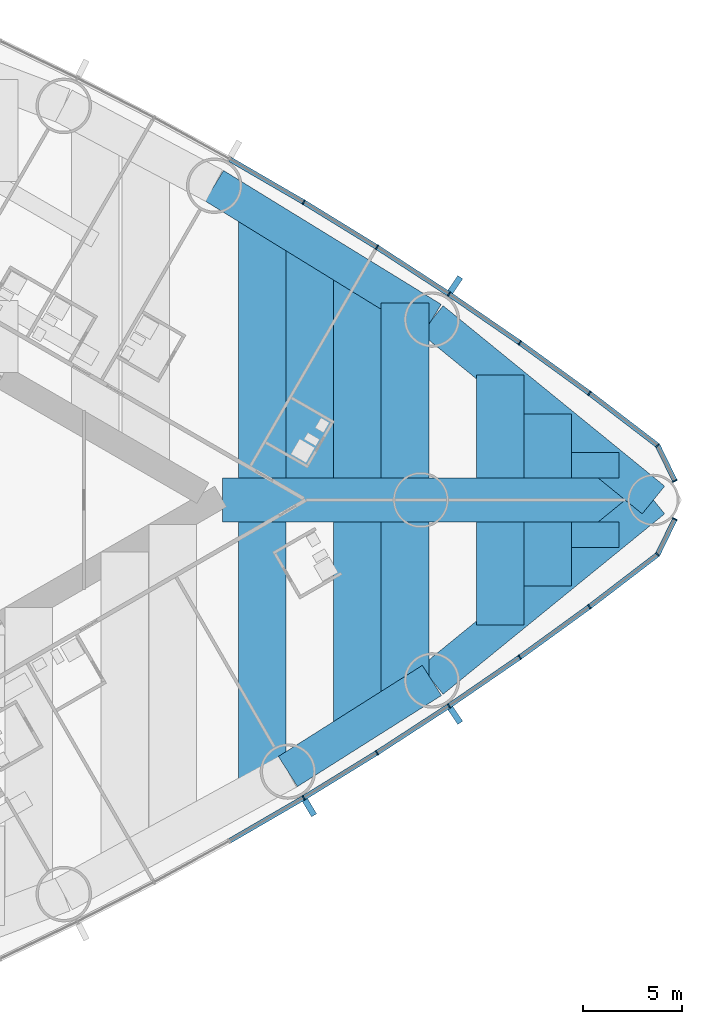
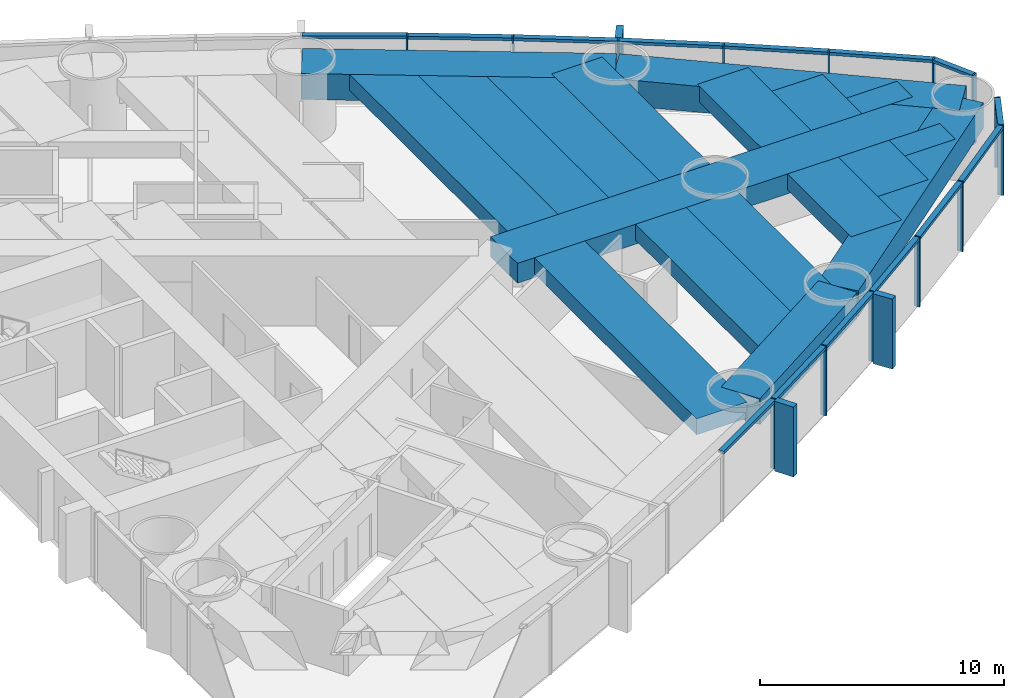
# One storey, part 8 of 18: 31 members, 18 beams, 2 elements without a shape of their own.
"""IFC4 building model written with IfcOpenShell, lengths in metres."""

from ifc_helpers import new_model, si_unit, direction, frame, origin, origin_2d, place, context, subcontext, project, spatial, rectangle, extrude, material, material_profile, profile_set, type_object, element, aggregate, save


model = new_model("IFC4")

# Units and contexts
model_context = context("Model", 3, precision=1e-05, world=origin(), true_north=direction((0.0, 1.0)))
body_context = subcontext(model_context, "Body", "Model", "MODEL_VIEW")
ifc_project = project(units=[si_unit("LENGTHUNIT", "METRE"), si_unit("AREAUNIT", "SQUARE_METRE"), si_unit("VOLUMEUNIT", "CUBIC_METRE"), si_unit("PLANEANGLEUNIT", "RADIAN"), si_unit("MASSUNIT", "GRAM", prefix="KILO")], contexts=[model_context])

# Site, building, storey
site_placement = place(None, origin())
site = spatial("IfcSite", under=ifc_project, at=site_placement, CompositionType="ELEMENT")
building_placement = place(site_placement, origin())
building = spatial("IfcBuilding", under=site, at=building_placement, Name="Lancet Gate Hotel", CompositionType="ELEMENT")
storey_placement = place(building_placement, frame((0.0, 0.0, 46.0)))
storey = spatial("IfcBuildingStorey", under=building, at=storey_placement, Name="L11", CompositionType="ELEMENT", Elevation=46.0)

# Curtain wall, members
ifc_material_1 = material(Name="Aluminium curtain wall", Category="aluminium")
curtain_wall_type = type_object("IfcCurtainWallType", Name="Tower unitised curtain wall", PredefinedType="USERDEFINED", material=ifc_material_1)
curtain_wall_1_placement = place(storey_placement, origin())
curtain_wall_1 = element("IfcCurtainWall", 1, at=curtain_wall_1_placement, inside=storey, type_object=curtain_wall_type, Name="T2 L11 curtain wall 2", ObjectType="UNITISED CURTAIN WALL", PredefinedType="USERDEFINED")
ifc_material_2 = material(Name="Aluminium mullion", Category="aluminium")
ifc_material_profile_1 = material_profile(ifc_material_2, rectangle(XDim=0.06494140625, YDim=0.25, at=origin_2d()), Name="MULLION 65x250")
ifc_profile_set_1 = profile_set([ifc_material_profile_1], Name="Aluminium mullion")
member_type_1 = type_object("IfcMemberType", Name="Aluminium mullion 65x250", PredefinedType="MULLION", material=ifc_profile_set_1)
member_1_placement = place(storey_placement, frame((55.590087890625, -15.03125, 0.0), z_axis=(0.0, 0.0, 1.0), x_axis=(0.858413008828, 0.512959166284, 0.0)))
member_1 = element("IfcMember", 2, at=member_1_placement, type_object=member_type_1, Name="T2 L11 curtain wall 2 mullion 8", PredefinedType="MULLION", context=body_context, shape_type="SweptSolid", body=[
    extrude(rectangle(XDim=0.06494140625, YDim=0.25, at=origin_2d()), origin(), (0.0, 0.0, 1.0), 3.5),
])
member_2_placement = place(storey_placement, frame((59.28515625, -12.7587890625, 0.0), z_axis=(0.0, 0.0, 1.0), x_axis=(0.845079420983, 0.534640788035, 0.0)))
member_2 = element("IfcMember", 3, at=member_2_placement, type_object=member_type_1, Name="T2 L11 curtain wall 2 mullion 9", PredefinedType="MULLION", context=body_context, shape_type="SweptSolid", body=[
    extrude(rectangle(XDim=0.06494140625, YDim=0.25, at=origin_2d()), origin(), (0.0, 0.0, 1.0), 3.5),
])
member_3_placement = place(storey_placement, frame((62.921142578125, -10.393310546875, 0.0), z_axis=(0.0, 0.0, 1.0), x_axis=(0.831198325377, 0.555976028162, 0.0)))
member_3 = element("IfcMember", 4, at=member_3_placement, type_object=member_type_1, Name="T2 L11 curtain wall 2 mullion 10", PredefinedType="MULLION", context=body_context, shape_type="SweptSolid", body=[
    extrude(rectangle(XDim=0.06494140625, YDim=0.25, at=origin_2d()), origin(), (0.0, 0.0, 1.0), 3.5),
])
member_4_placement = place(storey_placement, frame((66.49560546875, -7.935791015625, 0.0), z_axis=(0.0, 0.0, 1.0), x_axis=(0.816778715254, 0.576951064049, 0.0)))
member_4 = element("IfcMember", 5, at=member_4_placement, type_object=member_type_1, Name="T2 L11 curtain wall 2 mullion 11", PredefinedType="MULLION", context=body_context, shape_type="SweptSolid", body=[
    extrude(rectangle(XDim=0.06494140625, YDim=0.25, at=origin_2d()), origin(), (0.0, 0.0, 1.0), 3.5),
])
member_5_placement = place(storey_placement, frame((70.00634765625, -5.388427734375, 0.0), z_axis=(0.0, 0.0, 1.0), x_axis=(0.801829932754, 0.597552306447, 0.0)))
member_5 = element("IfcMember", 6, at=member_5_placement, type_object=member_type_1, Name="T2 L11 curtain wall 2 mullion 12", PredefinedType="MULLION", context=body_context, shape_type="SweptSolid", body=[
    extrude(rectangle(XDim=0.06494140625, YDim=0.25, at=origin_2d()), origin(), (0.0, 0.0, 1.0), 3.5),
])
member_6_placement = place(storey_placement, frame((73.451416015625, -2.752197265625, 0.0), z_axis=(0.0, 0.0, 1.0), x_axis=(0.697983022443, 0.716114306784, 0.0)))
member_6 = element("IfcMember", 7, at=member_6_placement, type_object=member_type_1, Name="T2 L11 curtain wall 2 mullion 13", PredefinedType="MULLION", context=body_context, shape_type="SweptSolid", body=[
    extrude(rectangle(XDim=0.06494140625, YDim=0.25, at=origin_2d()), origin(), (0.0, 0.0, 1.0), 3.5),
])
member_7_placement = place(storey_placement, frame((74.322265625, -0.96044921875, 0.0), z_axis=(0.0, 0.0, 1.0), x_axis=(0.437169070119, 0.899379343843, 0.0)))
member_7 = element("IfcMember", 8, at=member_7_placement, type_object=member_type_1, Name="T2 L11 curtain wall 2 mullion 14", PredefinedType="MULLION", context=body_context, shape_type="SweptSolid", body=[
    extrude(rectangle(XDim=0.06494140625, YDim=0.25, at=origin_2d()), origin(), (0.0, 0.0, 1.0), 3.5),
])

curtain_wall_2_placement = place(storey_placement, origin())
curtain_wall_2 = element("IfcCurtainWall", 9, at=curtain_wall_2_placement, inside=storey, type_object=curtain_wall_type, Name="T2 L11 curtain wall 3", ObjectType="UNITISED CURTAIN WALL", PredefinedType="USERDEFINED")
member_8_placement = place(storey_placement, frame((74.322265625, 0.96044921875, 0.0), z_axis=(0.0, 0.0, 1.0), x_axis=(-0.437169070119, 0.899379343843, 0.0)))
member_8 = element("IfcMember", 10, at=member_8_placement, type_object=member_type_1, Name="T2 L11 curtain wall 3 mullion 1", PredefinedType="MULLION", context=body_context, shape_type="SweptSolid", body=[
    extrude(rectangle(XDim=0.06494140625, YDim=0.25, at=origin_2d()), origin(), (0.0, 0.0, 1.0), 3.5),
])
member_9_placement = place(storey_placement, frame((73.451416015625, 2.752197265625, 0.0), z_axis=(0.0, 0.0, 1.0), x_axis=(-0.697983022443, 0.716114306784, 0.0)))
member_9 = element("IfcMember", 11, at=member_9_placement, type_object=member_type_1, Name="T2 L11 curtain wall 3 mullion 2", PredefinedType="MULLION", context=body_context, shape_type="SweptSolid", body=[
    extrude(rectangle(XDim=0.06494140625, YDim=0.25, at=origin_2d()), origin(), (0.0, 0.0, 1.0), 3.5),
])
member_10_placement = place(storey_placement, frame((70.00634765625, 5.388427734375, 0.0), z_axis=(0.0, 0.0, 1.0), x_axis=(-0.801829932754, 0.597552306447, 0.0)))
member_10 = element("IfcMember", 12, at=member_10_placement, type_object=member_type_1, Name="T2 L11 curtain wall 3 mullion 3", PredefinedType="MULLION", context=body_context, shape_type="SweptSolid", body=[
    extrude(rectangle(XDim=0.06494140625, YDim=0.25, at=origin_2d()), origin(), (0.0, 0.0, 1.0), 3.5),
])
member_11_placement = place(storey_placement, frame((66.49560546875, 7.935791015625, 0.0), z_axis=(0.0, 0.0, 1.0), x_axis=(-0.816778715254, 0.576951064049, 0.0)))
member_11 = element("IfcMember", 13, at=member_11_placement, type_object=member_type_1, Name="T2 L11 curtain wall 3 mullion 4", PredefinedType="MULLION", context=body_context, shape_type="SweptSolid", body=[
    extrude(rectangle(XDim=0.06494140625, YDim=0.25, at=origin_2d()), origin(), (0.0, 0.0, 1.0), 3.5),
])
member_12_placement = place(storey_placement, frame((62.921142578125, 10.393310546875, 0.0), z_axis=(0.0, 0.0, 1.0), x_axis=(-0.831198325377, 0.555976028162, 0.0)))
member_12 = element("IfcMember", 14, at=member_12_placement, type_object=member_type_1, Name="T2 L11 curtain wall 3 mullion 5", PredefinedType="MULLION", context=body_context, shape_type="SweptSolid", body=[
    extrude(rectangle(XDim=0.06494140625, YDim=0.25, at=origin_2d()), origin(), (0.0, 0.0, 1.0), 3.5),
])
member_13_placement = place(storey_placement, frame((59.28515625, 12.7587890625, 0.0), z_axis=(0.0, 0.0, 1.0), x_axis=(-0.845079420983, 0.534640788035, 0.0)))
member_13 = element("IfcMember", 15, at=member_13_placement, type_object=member_type_1, Name="T2 L11 curtain wall 3 mullion 6", PredefinedType="MULLION", context=body_context, shape_type="SweptSolid", body=[
    extrude(rectangle(XDim=0.06494140625, YDim=0.25, at=origin_2d()), origin(), (0.0, 0.0, 1.0), 3.5),
])
member_14_placement = place(storey_placement, frame((55.590087890625, 15.03125, 0.0), z_axis=(0.0, 0.0, 1.0), x_axis=(-0.858413008828, 0.512959166284, 0.0)))
member_14 = element("IfcMember", 16, at=member_14_placement, type_object=member_type_1, Name="T2 L11 curtain wall 3 mullion 7", PredefinedType="MULLION", context=body_context, shape_type="SweptSolid", body=[
    extrude(rectangle(XDim=0.06494140625, YDim=0.25, at=origin_2d()), origin(), (0.0, 0.0, 1.0), 3.5),
])

# Member
ifc_material_3 = material(Name="Aluminium transom", Category="aluminium")
ifc_material_profile_2 = material_profile(ifc_material_3, rectangle(XDim=0.25, YDim=0.14990234375, at=origin_2d()), Name="TRANSOM 250x150")
ifc_profile_set_2 = profile_set([ifc_material_profile_2], Name="Aluminium transom")
member_type_2 = type_object("IfcMemberType", Name="Aluminium transom 250x150", PredefinedType="USERDEFINED", material=ifc_profile_set_2)
member_15_placement = place(storey_placement, frame((51.86669921875, -17.1923828125, 3.425048828125), z_axis=(0.864854571156, 0.502022480324, 0.0), x_axis=(-0.502022480324, 0.864854571156, 0.0)))
member_15 = element("IfcMember", 17, at=member_15_placement, type_object=member_type_2, Name="T2 L11 curtain wall 2 transom 7", ObjectType="TRANSOM", PredefinedType="USERDEFINED", context=body_context, shape_type="SweptSolid", body=[
    extrude(rectangle(XDim=0.25, YDim=0.14990234375, at=origin_2d()), origin(), (0.0, 0.0, 1.0), 4.272705078125),
])

member_16_placement = place(storey_placement, frame((55.617919921875, -15.01416015625, 3.425048828125), z_axis=(0.851815224451, 0.523842365023, 0.0), x_axis=(-0.523842365023, 0.851815224451, 0.0)))
member_16 = element("IfcMember", 18, at=member_16_placement, type_object=member_type_2, Name="T2 L11 curtain wall 2 transom 8", ObjectType="TRANSOM", PredefinedType="USERDEFINED", context=body_context, shape_type="SweptSolid", body=[
    extrude(rectangle(XDim=0.25, YDim=0.14990234375, at=origin_2d()), origin(), (0.0, 0.0, 1.0), 4.272705078125),
])

member_17_placement = place(storey_placement, frame((59.3125, -12.7412109375, 3.425048828125), z_axis=(0.83817850664, 0.545395994674, 0.0), x_axis=(-0.545395994674, 0.83817850664, 0.0)))
member_17 = element("IfcMember", 19, at=member_17_placement, type_object=member_type_2, Name="T2 L11 curtain wall 2 transom 9", ObjectType="TRANSOM", PredefinedType="USERDEFINED", context=body_context, shape_type="SweptSolid", body=[
    extrude(rectangle(XDim=0.25, YDim=0.14990234375, at=origin_2d()), origin(), (0.0, 0.0, 1.0), 4.272705078125),
])

member_18_placement = place(storey_placement, frame((62.94775390625, -10.374755859375, 3.425048828125), z_axis=(0.824071932869, 0.566485171437, 0.0), x_axis=(-0.566485171437, 0.824071932869, 0.0)))
member_18 = element("IfcMember", 20, at=member_18_placement, type_object=member_type_2, Name="T2 L11 curtain wall 2 transom 10", ObjectType="TRANSOM", PredefinedType="USERDEFINED", context=body_context, shape_type="SweptSolid", body=[
    extrude(rectangle(XDim=0.25, YDim=0.14990234375, at=origin_2d()), origin(), (0.0, 0.0, 1.0), 4.272705078125),
])

member_19_placement = place(storey_placement, frame((66.52197265625, -7.916748046875, 3.425048828125), z_axis=(0.809382971085, 0.587281198505, 0.0), x_axis=(-0.587281198505, 0.809382971085, 0.0)))
member_19 = element("IfcMember", 21, at=member_19_placement, type_object=member_type_2, Name="T2 L11 curtain wall 2 transom 11", ObjectType="TRANSOM", PredefinedType="USERDEFINED", context=body_context, shape_type="SweptSolid", body=[
    extrude(rectangle(XDim=0.25, YDim=0.14990234375, at=origin_2d()), origin(), (0.0, 0.0, 1.0), 4.272705078125),
])

member_20_placement = place(storey_placement, frame((70.0322265625, -5.36865234375, 3.425048828125), z_axis=(0.794155062652, 0.607715177089, 0.0), x_axis=(-0.607715177089, 0.794155062652, 0.0)))
member_20 = element("IfcMember", 22, at=member_20_placement, type_object=member_type_2, Name="T2 L11 curtain wall 2 transom 12", ObjectType="TRANSOM", PredefinedType="USERDEFINED", context=body_context, shape_type="SweptSolid", body=[
    extrude(rectangle(XDim=0.25, YDim=0.14990234375, at=origin_2d()), origin(), (0.0, 0.0, 1.0), 4.27294921875),
])

member_21_placement = place(storey_placement, frame((73.465576171875, -2.72314453125, 3.425048828125), z_axis=(0.437103060611, 0.899411426659, 0.0), x_axis=(-0.899411426659, 0.437103060611, 0.0)))
member_21 = element("IfcMember", 23, at=member_21_placement, type_object=member_type_2, Name="T2 L11 curtain wall 2 transom 13", ObjectType="TRANSOM", PredefinedType="USERDEFINED", context=body_context, shape_type="SweptSolid", body=[
    extrude(rectangle(XDim=0.25, YDim=0.14990234375, at=origin_2d()), origin(), (0.0, 0.0, 1.0), 1.927490234375),
])

member_22_placement = place(storey_placement, frame((74.30810546875, 0.989501953125, 3.425048828125), z_axis=(-0.437103060611, 0.899411426659, 0.0), x_axis=(-0.899411426659, -0.437103060611, 0.0)))
member_22 = element("IfcMember", 24, at=member_22_placement, type_object=member_type_2, Name="T2 L11 curtain wall 3 transom 1", ObjectType="TRANSOM", PredefinedType="USERDEFINED", context=body_context, shape_type="SweptSolid", body=[
    extrude(rectangle(XDim=0.25, YDim=0.14990234375, at=origin_2d()), origin(), (0.0, 0.0, 1.0), 1.927490234375),
])

member_23_placement = place(storey_placement, frame((73.425537109375, 2.77197265625, 3.425048828125), z_axis=(-0.794155062652, 0.607715177089, 0.0), x_axis=(-0.607715177089, -0.794155062652, 0.0)))
member_23 = element("IfcMember", 25, at=member_23_placement, type_object=member_type_2, Name="T2 L11 curtain wall 3 transom 2", ObjectType="TRANSOM", PredefinedType="USERDEFINED", context=body_context, shape_type="SweptSolid", body=[
    extrude(rectangle(XDim=0.25, YDim=0.14990234375, at=origin_2d()), origin(), (0.0, 0.0, 1.0), 4.27294921875),
])

member_24_placement = place(storey_placement, frame((69.980224609375, 5.407470703125, 3.425048828125), z_axis=(-0.809382971085, 0.587281198505, 0.0), x_axis=(-0.587281198505, -0.809382971085, 0.0)))
member_24 = element("IfcMember", 26, at=member_24_placement, type_object=member_type_2, Name="T2 L11 curtain wall 3 transom 3", ObjectType="TRANSOM", PredefinedType="USERDEFINED", context=body_context, shape_type="SweptSolid", body=[
    extrude(rectangle(XDim=0.25, YDim=0.14990234375, at=origin_2d()), origin(), (0.0, 0.0, 1.0), 4.272705078125),
])

member_25_placement = place(storey_placement, frame((66.46875, 7.954345703125, 3.425048828125), z_axis=(-0.824071932869, 0.566485171437, 0.0), x_axis=(-0.566485171437, -0.824071932869, 0.0)))
member_25 = element("IfcMember", 27, at=member_25_placement, type_object=member_type_2, Name="T2 L11 curtain wall 3 transom 4", ObjectType="TRANSOM", PredefinedType="USERDEFINED", context=body_context, shape_type="SweptSolid", body=[
    extrude(rectangle(XDim=0.25, YDim=0.14990234375, at=origin_2d()), origin(), (0.0, 0.0, 1.0), 4.272705078125),
])

member_26_placement = place(storey_placement, frame((62.893798828125, 10.410888671875, 3.425048828125), z_axis=(-0.83817850664, 0.545395994674, 0.0), x_axis=(-0.545395994674, -0.83817850664, 0.0)))
member_26 = element("IfcMember", 28, at=member_26_placement, type_object=member_type_2, Name="T2 L11 curtain wall 3 transom 5", ObjectType="TRANSOM", PredefinedType="USERDEFINED", context=body_context, shape_type="SweptSolid", body=[
    extrude(rectangle(XDim=0.25, YDim=0.14990234375, at=origin_2d()), origin(), (0.0, 0.0, 1.0), 4.272705078125),
])

member_27_placement = place(storey_placement, frame((59.257568359375, 12.77587890625, 3.425048828125), z_axis=(-0.851815224451, 0.523842365023, 0.0), x_axis=(-0.523842365023, -0.851815224451, 0.0)))
member_27 = element("IfcMember", 29, at=member_27_placement, type_object=member_type_2, Name="T2 L11 curtain wall 3 transom 6", ObjectType="TRANSOM", PredefinedType="USERDEFINED", context=body_context, shape_type="SweptSolid", body=[
    extrude(rectangle(XDim=0.25, YDim=0.14990234375, at=origin_2d()), origin(), (0.0, 0.0, 1.0), 4.272705078125),
])

member_28_placement = place(storey_placement, frame((55.56201171875, 15.04736328125, 3.425048828125), z_axis=(-0.864854571156, 0.502022480324, 0.0), x_axis=(-0.502022480324, -0.864854571156, 0.0)))
member_28 = element("IfcMember", 30, at=member_28_placement, type_object=member_type_2, Name="T2 L11 curtain wall 3 transom 7", ObjectType="TRANSOM", PredefinedType="USERDEFINED", context=body_context, shape_type="SweptSolid", body=[
    extrude(rectangle(XDim=0.25, YDim=0.14990234375, at=origin_2d()), origin(), (0.0, 0.0, 1.0), 4.272705078125),
])

# Beams
ifc_material_4 = material(Name="Concrete C50/60", Category="concrete")
ifc_material_profile_3 = material_profile(ifc_material_4, rectangle(XDim=1.800048828125, YDim=1.300048828125, at=origin_2d()), Name="RC 1800x1300")
ifc_profile_set_3 = profile_set([ifc_material_profile_3], Name="Concrete C50/60")
beam_type_1 = type_object("IfcBeamType", Name="Edge beam RC 1800x1300", PredefinedType="SPANDREL", material=ifc_profile_set_3)
beam_1_placement = place(storey_placement, frame((54.795166015625, -13.70068359375, 2.60009765625), z_axis=(0.845078312276, 0.534642540508, 0.0), x_axis=(-0.534642540508, 0.845078312276, 0.0)))
element("IfcBeam", 31, at=beam_1_placement, inside=storey, type_object=beam_type_1, Name="T2 edge beam EB1 L11", PredefinedType="SPANDREL", context=body_context, shape_type="SweptSolid", body=[
    extrude(rectangle(XDim=1.800048828125, YDim=1.300048828125, at=origin_2d()), origin(), (0.0, 0.0, 1.0), 8.595947265625),
])
for number, where, z_axis, x_axis, name in (
    (32, (62.059326171875, -9.10498046875, 2.60009765625), (0.775390970005, 0.631481467372, 0.0), (-0.631481467372, 0.775390970005, 0.0), "T2 edge beam EB1 L11"),
    (33, (73.2392578125, 0.0, 2.60009765625), (-0.775390970005, 0.631481467372, 0.0), (-0.631481467372, -0.775390970005, 0.0), "T2 edge beam EB1 L11"),
):
    element("IfcBeam", number, at=place(storey_placement, frame(where, z_axis=z_axis, x_axis=x_axis)), inside=storey, type_object=beam_type_1, Name=name, PredefinedType="SPANDREL", context=body_context, shape_type="SweptSolid", body=[
        extrude(rectangle(XDim=1.800048828125, YDim=1.300048828125, at=origin_2d()), origin(), (0.0, 0.0, 1.0), 14.41845703125),
    ])
beam_2_placement = place(storey_placement, frame((62.059326171875, 9.10498046875, 2.60009765625), z_axis=(-0.851815628025, 0.523841708775, 0.0), x_axis=(-0.523841708775, -0.851815628025, 0.0)))
element("IfcBeam", 34, at=beam_2_placement, inside=storey, type_object=beam_type_1, Name="T2 edge beam EB1 L11", PredefinedType="SPANDREL", context=body_context, shape_type="SweptSolid", body=[
    extrude(rectangle(XDim=1.800048828125, YDim=1.300048828125, at=origin_2d()), origin(), (0.0, 0.0, 1.0), 12.89208984375),
])

# Member
ifc_material_5 = material(Name="Precast concrete C50/60", Category="concrete")
ifc_material_profile_4 = material_profile(ifc_material_5, rectangle(XDim=0.300048828125, YDim=0.89990234375, at=origin_2d()), Name="FIN 300x900")
ifc_profile_set_4 = profile_set([ifc_material_profile_4], Name="Precast concrete C50/60")
member_type_3 = type_object("IfcMemberType", Name="Exposed concrete fin 300x900", PredefinedType="USERDEFINED", material=ifc_profile_set_4)
member_29_placement = place(storey_placement, frame((55.88525390625, -15.524658203125, 0.0), z_axis=(0.0, 0.0, 1.0), x_axis=(0.858413008828, 0.512959166284, 0.0)))
member_29 = element("IfcMember", 35, at=member_29_placement, type_object=member_type_3, Name="T2 L11 curtain wall 2 fin 8", ObjectType="FIN", PredefinedType="USERDEFINED", context=body_context, shape_type="SweptSolid", body=[
    extrude(rectangle(XDim=0.300048828125, YDim=0.89990234375, at=origin_2d()), origin(), (0.0, 0.0, 1.0), 3.5),
])

member_30_placement = place(storey_placement, frame((63.24072265625, -10.87109375, 0.0), z_axis=(0.0, 0.0, 1.0), x_axis=(0.831198325377, 0.555976028162, 0.0)))
member_30 = element("IfcMember", 36, at=member_30_placement, type_object=member_type_3, Name="T2 L11 curtain wall 2 fin 10", ObjectType="FIN", PredefinedType="USERDEFINED", context=body_context, shape_type="SweptSolid", body=[
    extrude(rectangle(XDim=0.300048828125, YDim=0.89990234375, at=origin_2d()), origin(), (0.0, 0.0, 1.0), 3.5),
])

aggregate(curtain_wall_1, [member_1, member_29, member_2, member_3, member_30, member_4, member_5, member_6, member_7, member_15, member_16, member_17, member_18, member_19, member_20, member_21])

member_31_placement = place(storey_placement, frame((63.24072265625, 10.87109375, 0.0), z_axis=(0.0, 0.0, 1.0), x_axis=(-0.831198325377, 0.555976028162, 0.0)))
member_31 = element("IfcMember", 37, at=member_31_placement, type_object=member_type_3, Name="T2 L11 curtain wall 3 fin 5", ObjectType="FIN", PredefinedType="USERDEFINED", context=body_context, shape_type="SweptSolid", body=[
    extrude(rectangle(XDim=0.300048828125, YDim=0.89990234375, at=origin_2d()), origin(), (0.0, 0.0, 1.0), 3.5),
])

aggregate(curtain_wall_2, [member_8, member_9, member_10, member_11, member_12, member_31, member_13, member_14, member_22, member_23, member_24, member_25, member_26, member_27, member_28])

# Beams
ifc_material_6 = material(Name="Concrete C50/60", Category="concrete")
ifc_material_profile_5 = material_profile(ifc_material_6, rectangle(XDim=2.39990234375, YDim=0.800048828125, at=origin_2d()), Name="RC 2400x800")
ifc_profile_set_5 = profile_set([ifc_material_profile_5], Name="Concrete C50/60")
beam_type_2 = type_object("IfcBeamType", Name="Floor beam RC 2400x800", PredefinedType="BEAM", material=ifc_profile_set_5)
beam_3_placement = place(storey_placement, frame((53.502197265625, -14.40771484375, 2.85009765625), z_axis=(0.0, 1.0, 0.0), x_axis=(-1.0, 0.0, 0.0)))
element("IfcBeam", 38, at=beam_3_placement, inside=storey, type_object=beam_type_2, Name="T2 floor beam F16S L11", PredefinedType="BEAM", context=body_context, shape_type="SweptSolid", body=[
    extrude(rectangle(XDim=2.39990234375, YDim=0.800048828125, at=origin_2d()), origin(), (0.0, 0.0, 1.0), 13.3076171875),
])
beam_4_placement = place(storey_placement, frame((53.502197265625, 1.10009765625, 2.85009765625), z_axis=(0.0, 1.0, 0.0), x_axis=(-1.0, 0.0, 0.0)))
element("IfcBeam", 39, at=beam_4_placement, inside=storey, type_object=beam_type_2, Name="T2 floor beam F17N L11", PredefinedType="BEAM", context=body_context, shape_type="SweptSolid", body=[
    extrude(rectangle(XDim=2.39990234375, YDim=0.800048828125, at=origin_2d()), origin(), (0.0, 0.0, 1.0), 13.26708984375),
])
beam_5_placement = place(storey_placement, frame((55.90234375, 1.10009765625, 2.85009765625), z_axis=(0.0, 1.0, 0.0), x_axis=(-1.0, 0.0, 0.0)))
element("IfcBeam", 40, at=beam_5_placement, inside=storey, type_object=beam_type_2, Name="T2 floor beam F18N L11", PredefinedType="BEAM", context=body_context, shape_type="SweptSolid", body=[
    extrude(rectangle(XDim=2.39990234375, YDim=0.800048828125, at=origin_2d()), origin(), (0.0, 0.0, 1.0), 11.791259765625),
])
beam_6_placement = place(storey_placement, frame((58.30224609375, -11.48193359375, 2.85009765625), z_axis=(0.0, 1.0, 0.0), x_axis=(-1.0, 0.0, 0.0)))
element("IfcBeam", 41, at=beam_6_placement, inside=storey, type_object=beam_type_2, Name="T2 floor beam F19S L11", PredefinedType="BEAM", context=body_context, shape_type="SweptSolid", body=[
    extrude(rectangle(XDim=2.39990234375, YDim=0.800048828125, at=origin_2d()), origin(), (0.0, 0.0, 1.0), 10.3818359375),
])
beam_7_placement = place(storey_placement, frame((58.30224609375, 1.10009765625, 2.85009765625), z_axis=(0.0, 1.0, 0.0), x_axis=(-1.0, 0.0, 0.0)))
element("IfcBeam", 42, at=beam_7_placement, inside=storey, type_object=beam_type_2, Name="T2 floor beam F20N L11", PredefinedType="BEAM", context=body_context, shape_type="SweptSolid", body=[
    extrude(rectangle(XDim=2.39990234375, YDim=0.800048828125, at=origin_2d()), origin(), (0.0, 0.0, 1.0), 10.3154296875),
])
beam_8_placement = place(storey_placement, frame((60.7021484375, -9.96337890625, 2.85009765625), z_axis=(0.0, 1.0, 0.0), x_axis=(-1.0, 0.0, 0.0)))
element("IfcBeam", 43, at=beam_8_placement, inside=storey, type_object=beam_type_2, Name="T2 floor beam F21S L11", PredefinedType="BEAM", context=body_context, shape_type="SweptSolid", body=[
    extrude(rectangle(XDim=2.39990234375, YDim=0.800048828125, at=origin_2d()), origin(), (0.0, 0.0, 1.0), 8.86328125),
])
beam_9_placement = place(storey_placement, frame((60.7021484375, 1.10009765625, 2.85009765625), z_axis=(0.0, 1.0, 0.0), x_axis=(-1.0, 0.0, 0.0)))
element("IfcBeam", 44, at=beam_9_placement, inside=storey, type_object=beam_type_2, Name="T2 floor beam F22N L11", PredefinedType="BEAM", context=body_context, shape_type="SweptSolid", body=[
    extrude(rectangle(XDim=2.39990234375, YDim=0.800048828125, at=origin_2d()), origin(), (0.0, 0.0, 1.0), 8.83935546875),
])
for number, where, z_axis, x_axis, name in (
    (45, (65.502197265625, -6.301025390625, 2.85009765625), (0.0, 1.0, 0.0), (-1.0, 0.0, 0.0), "T2 floor beam F23S L11"),
    (46, (65.502197265625, 1.10009765625, 2.85009765625), (0.0, 1.0, 0.0), (-1.0, 0.0, 0.0), "T2 floor beam F24N L11"),
):
    element("IfcBeam", number, at=place(storey_placement, frame(where, z_axis=z_axis, x_axis=x_axis)), inside=storey, type_object=beam_type_2, Name=name, PredefinedType="BEAM", context=body_context, shape_type="SweptSolid", body=[
        extrude(rectangle(XDim=2.39990234375, YDim=0.800048828125, at=origin_2d()), origin(), (0.0, 0.0, 1.0), 5.200927734375),
    ])
for number, where, z_axis, x_axis, name in (
    (47, (67.90234375, -4.346435546875, 2.85009765625), (0.0, 1.0, 0.0), (-1.0, 0.0, 0.0), "T2 floor beam F25S L11"),
    (48, (67.90234375, 1.10009765625, 2.85009765625), (0.0, 1.0, 0.0), (-1.0, 0.0, 0.0), "T2 floor beam F26N L11"),
):
    element("IfcBeam", number, at=place(storey_placement, frame(where, z_axis=z_axis, x_axis=x_axis)), inside=storey, type_object=beam_type_2, Name=name, PredefinedType="BEAM", context=body_context, shape_type="SweptSolid", body=[
        extrude(rectangle(XDim=2.39990234375, YDim=0.800048828125, at=origin_2d()), origin(), (0.0, 0.0, 1.0), 3.246337890625),
    ])
for number, where, z_axis, x_axis, name in (
    (49, (70.30224609375, -2.391845703125, 2.85009765625), (0.0, 1.0, 0.0), (-1.0, 0.0, 0.0), "T2 floor beam F27S L11"),
    (50, (70.30224609375, 1.10009765625, 2.85009765625), (0.0, 1.0, 0.0), (-1.0, 0.0, 0.0), "T2 floor beam F28N L11"),
):
    element("IfcBeam", number, at=place(storey_placement, frame(where, z_axis=z_axis, x_axis=x_axis)), inside=storey, type_object=beam_type_2, Name=name, PredefinedType="BEAM", context=body_context, shape_type="SweptSolid", body=[
        extrude(rectangle(XDim=2.39990234375, YDim=0.800048828125, at=origin_2d()), origin(), (0.0, 0.0, 1.0), 1.291748046875),
    ])
ifc_material_7 = material(Name="Concrete C50/60", Category="concrete")
ifc_material_profile_6 = material_profile(ifc_material_7, rectangle(XDim=2.199951171875, YDim=1.0, at=origin_2d()), Name="RC 2200x1000")
ifc_profile_set_6 = profile_set([ifc_material_profile_6], Name="Concrete C50/60")
beam_type_3 = type_object("IfcBeamType", Name="Radial floor beam RC 2200x1000", PredefinedType="BEAM", material=ifc_profile_set_6)
beam_10_placement = place(storey_placement, frame((73.2392578125, 0.0, 2.75), z_axis=(-1.0, 0.0, 0.0), x_axis=(0.0, -1.0, 0.0)))
element("IfcBeam", 51, at=beam_10_placement, inside=storey, type_object=beam_type_3, Name="T2 radial beam CA L11", PredefinedType="BEAM", context=body_context, shape_type="SweptSolid", body=[
    extrude(rectangle(XDim=2.199951171875, YDim=1.0, at=origin_2d()), origin(), (0.0, 0.0, 1.0), 21.737060546875),
])

save(model, "model.ifc")
